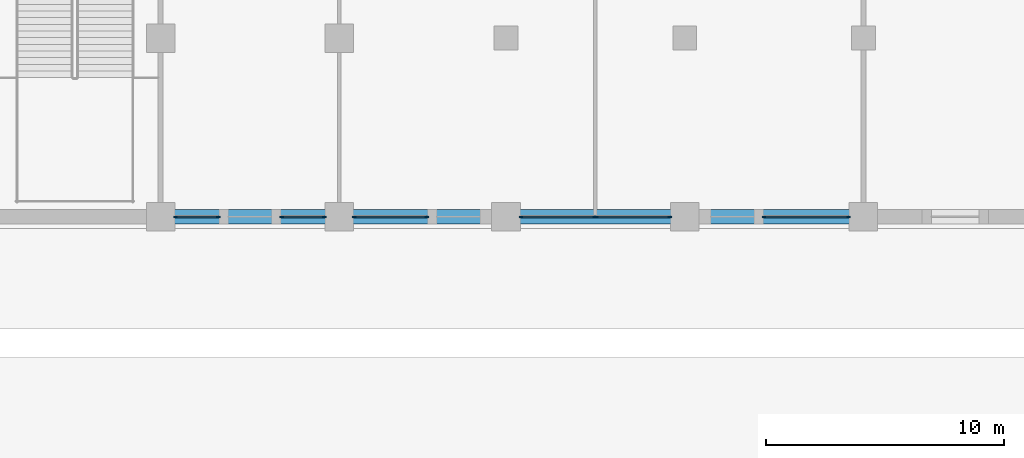
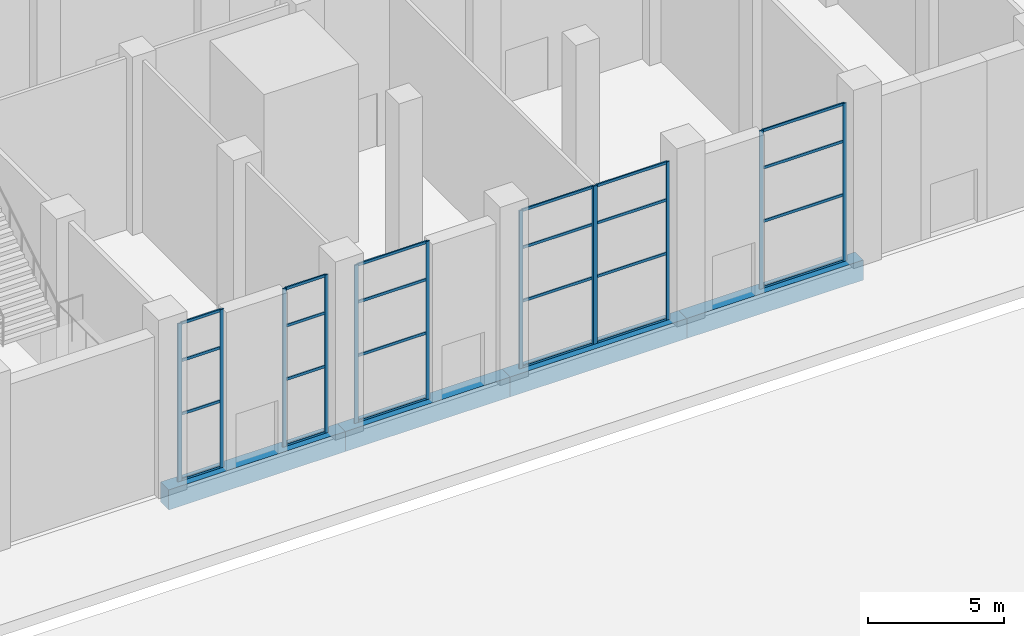
# One storey, part 4 of 57: 36 members, 4 beams, 6 elements without a shape of their own.
"""IFC4 building model written with IfcOpenShell, lengths in metres."""

from ifc_helpers import new_model, si_unit, direction, frame, origin, origin_2d, place, context, subcontext, project, spatial, rectangle, extrude, material, layer, layer_set, material_profile, profile_set, type_object, element, aggregate, save


model = new_model("IFC4")

# Units and contexts
model_context = context("Model", 3, precision=1e-05, world=origin(), true_north=direction((0.0, 1.0)))
body_context = subcontext(model_context, "Body", "Model", "MODEL_VIEW")
ifc_project = project(units=[si_unit("LENGTHUNIT", "METRE"), si_unit("AREAUNIT", "SQUARE_METRE"), si_unit("VOLUMEUNIT", "CUBIC_METRE"), si_unit("PLANEANGLEUNIT", "RADIAN"), si_unit("MASSUNIT", "GRAM", prefix="KILO")], contexts=[model_context])

# Site, building, storey
site_placement = place(None, origin())
site = spatial("IfcSite", under=ifc_project, at=site_placement, CompositionType="ELEMENT")
building_placement = place(site_placement, origin())
building = spatial("IfcBuilding", under=site, at=building_placement, Name="Tamorin Gate", CompositionType="ELEMENT")
storey_placement = place(building_placement, origin())
storey = spatial("IfcBuildingStorey", under=building, at=storey_placement, Name="L00", CompositionType="ELEMENT", Elevation=0.0)

# Beams
ifc_material_1 = material(Name="Concrete C50/60", Category="concrete")
ifc_material_profile_1 = material_profile(ifc_material_1, rectangle(XDim=0.60009765625, YDim=0.89990234375, at=origin_2d()), Name="RC 600x900")
ifc_profile_set_1 = profile_set([ifc_material_profile_1], Name="Concrete C50/60")
beam_type = type_object("IfcBeamType", Name="RC spandrel 600x900 C50/60", PredefinedType="BEAM", material=ifc_profile_set_1)
beam_1_placement = place(storey_placement, frame((23.0, 30.5, -0.449951171875), z_axis=(1.0, 0.0, 0.0), x_axis=(0.0, 1.0, 0.0)))
element("IfcBeam", 1, at=beam_1_placement, inside=storey, type_object=beam_type, Name="Spandrel beam L00", PredefinedType="BEAM", context=body_context, shape_type="SweptSolid", body=[
    extrude(rectangle(XDim=0.60009765625, YDim=0.89990234375, at=origin_2d()), origin(), (0.0, 0.0, 1.0), 7.5),
])
beam_2_placement = place(storey_placement, frame((30.5, 30.5, -0.449951171875), z_axis=(1.0, 0.0, 0.0), x_axis=(0.0, 1.0, 0.0)))
element("IfcBeam", 2, at=beam_2_placement, inside=storey, type_object=beam_type, Name="Spandrel beam L00", PredefinedType="BEAM", context=body_context, shape_type="SweptSolid", body=[
    extrude(rectangle(XDim=0.60009765625, YDim=0.89990234375, at=origin_2d()), origin(), (0.0, 0.0, 1.0), 7.0),
])
for number, where, z_axis, x_axis, name in (
    (3, (37.5, 30.5, -0.449951171875), (1.0, 0.0, 0.0), (0.0, 1.0, 0.0), "Spandrel beam L00"),
    (4, (45.0, 30.5, -0.449951171875), (1.0, 0.0, 0.0), (0.0, 1.0, 0.0), "Spandrel beam L00"),
):
    element("IfcBeam", number, at=place(storey_placement, frame(where, z_axis=z_axis, x_axis=x_axis)), inside=storey, type_object=beam_type, Name=name, PredefinedType="BEAM", context=body_context, shape_type="SweptSolid", body=[
        extrude(rectangle(XDim=0.60009765625, YDim=0.89990234375, at=origin_2d()), origin(), (0.0, 0.0, 1.0), 7.5),
    ])

# Curtain wall, members
ifc_material_2 = material(Name="Aluminium and glass", Category="aluminium")
ifc_layer = layer(ifc_material_2, 0.199951171875)
ifc_layer_set = layer_set([ifc_layer], Name="Retail storefront system")
curtain_wall_type = type_object("IfcCurtainWallType", Name="Retail storefront system", PredefinedType="NOTDEFINED", material=ifc_layer_set)
curtain_wall_1_placement = place(storey_placement, origin())
curtain_wall_1 = element("IfcCurtainWall", 5, at=curtain_wall_1_placement, inside=storey, type_object=curtain_wall_type, Name="Retail storefront system L00", PredefinedType="NOTDEFINED")
ifc_material_3 = material(Name="Aluminium", Category="aluminium")
ifc_material_profile_2 = material_profile(ifc_material_3, rectangle(XDim=0.06005859375, YDim=0.159912109375, at=origin_2d()), Name="RECT 60x160")
ifc_profile_set_2 = profile_set([ifc_material_profile_2], Name="Aluminium")
member_type_1 = type_object("IfcMemberType", Name="Storefront mullion 60x160", PredefinedType="MULLION", material=ifc_profile_set_2)
member_1_placement = place(storey_placement, frame((23.6298828125, 30.5, 0.0), z_axis=(0.0, 0.0, 1.0), x_axis=(0.0, 1.0, 0.0)))
member_1 = element("IfcMember", 6, at=member_1_placement, type_object=member_type_1, Name="CWP10 mullion 1", PredefinedType="MULLION", context=body_context, shape_type="SweptSolid", body=[
    extrude(rectangle(XDim=0.06005859375, YDim=0.159912109375, at=origin_2d()), origin(), (0.0, 0.0, 1.0), 7.10009765625),
])
member_2_placement = place(storey_placement, frame((25.419921875, 30.5, 0.0), z_axis=(0.0, 0.0, 1.0), x_axis=(0.0, 1.0, 0.0)))
member_2 = element("IfcMember", 7, at=member_2_placement, type_object=member_type_1, Name="CWP10 mullion 2", PredefinedType="MULLION", context=body_context, shape_type="SweptSolid", body=[
    extrude(rectangle(XDim=0.06005859375, YDim=0.159912109375, at=origin_2d()), origin(), (0.0, 0.0, 1.0), 7.10009765625),
])

curtain_wall_2_placement = place(storey_placement, origin())
curtain_wall_2 = element("IfcCurtainWall", 8, at=curtain_wall_2_placement, inside=storey, type_object=curtain_wall_type, Name="Retail storefront system L00", PredefinedType="NOTDEFINED")
member_3_placement = place(storey_placement, frame((28.080078125, 30.5, 0.0), z_axis=(0.0, 0.0, 1.0), x_axis=(0.0, 1.0, 0.0)))
member_3 = element("IfcMember", 9, at=member_3_placement, type_object=member_type_1, Name="CWP10 mullion 1", PredefinedType="MULLION", context=body_context, shape_type="SweptSolid", body=[
    extrude(rectangle(XDim=0.06005859375, YDim=0.159912109375, at=origin_2d()), origin(), (0.0, 0.0, 1.0), 7.10009765625),
])
member_4_placement = place(storey_placement, frame((29.8701171875, 30.5, 0.0), z_axis=(0.0, 0.0, 1.0), x_axis=(0.0, 1.0, 0.0)))
member_4 = element("IfcMember", 10, at=member_4_placement, type_object=member_type_1, Name="CWP10 mullion 2", PredefinedType="MULLION", context=body_context, shape_type="SweptSolid", body=[
    extrude(rectangle(XDim=0.06005859375, YDim=0.159912109375, at=origin_2d()), origin(), (0.0, 0.0, 1.0), 7.10009765625),
])

curtain_wall_3_placement = place(storey_placement, origin())
curtain_wall_3 = element("IfcCurtainWall", 11, at=curtain_wall_3_placement, inside=storey, type_object=curtain_wall_type, Name="Retail storefront system L00", PredefinedType="NOTDEFINED")
member_5_placement = place(storey_placement, frame((31.1298828125, 30.5, 0.0), z_axis=(0.0, 0.0, 1.0), x_axis=(0.0, 1.0, 0.0)))
member_5 = element("IfcMember", 12, at=member_5_placement, type_object=member_type_1, Name="CWP10 mullion 1", PredefinedType="MULLION", context=body_context, shape_type="SweptSolid", body=[
    extrude(rectangle(XDim=0.06005859375, YDim=0.159912109375, at=origin_2d()), origin(), (0.0, 0.0, 1.0), 7.10009765625),
])
member_6_placement = place(storey_placement, frame((34.169921875, 30.5, 0.0), z_axis=(0.0, 0.0, 1.0), x_axis=(0.0, 1.0, 0.0)))
member_6 = element("IfcMember", 13, at=member_6_placement, type_object=member_type_1, Name="CWP10 mullion 2", PredefinedType="MULLION", context=body_context, shape_type="SweptSolid", body=[
    extrude(rectangle(XDim=0.06005859375, YDim=0.159912109375, at=origin_2d()), origin(), (0.0, 0.0, 1.0), 7.10009765625),
])

curtain_wall_4_placement = place(storey_placement, origin())
curtain_wall_4 = element("IfcCurtainWall", 14, at=curtain_wall_4_placement, inside=storey, type_object=curtain_wall_type, Name="Retail storefront system L00", PredefinedType="NOTDEFINED")
member_7_placement = place(storey_placement, frame((38.1298828125, 30.5, 0.0), z_axis=(0.0, 0.0, 1.0), x_axis=(0.0, 1.0, 0.0)))
member_7 = element("IfcMember", 15, at=member_7_placement, type_object=member_type_1, Name="CWP10 mullion 1", PredefinedType="MULLION", context=body_context, shape_type="SweptSolid", body=[
    extrude(rectangle(XDim=0.06005859375, YDim=0.159912109375, at=origin_2d()), origin(), (0.0, 0.0, 1.0), 7.10009765625),
])
member_8_placement = place(storey_placement, frame((41.219970703125, 30.5, 0.0), z_axis=(0.0, 0.0, 1.0), x_axis=(0.0, 1.0, 0.0)))
member_8 = element("IfcMember", 16, at=member_8_placement, type_object=member_type_1, Name="CWP10 mullion 2", PredefinedType="MULLION", context=body_context, shape_type="SweptSolid", body=[
    extrude(rectangle(XDim=0.06005859375, YDim=0.159912109375, at=origin_2d()), origin(), (0.0, 0.0, 1.0), 7.10009765625),
])

curtain_wall_5_placement = place(storey_placement, origin())
curtain_wall_5 = element("IfcCurtainWall", 17, at=curtain_wall_5_placement, inside=storey, type_object=curtain_wall_type, Name="Retail storefront system L00", PredefinedType="NOTDEFINED")
member_9_placement = place(storey_placement, frame((41.280029296875, 30.5, 0.0), z_axis=(0.0, 0.0, 1.0), x_axis=(0.0, 1.0, 0.0)))
member_9 = element("IfcMember", 18, at=member_9_placement, type_object=member_type_1, Name="CWP10 mullion 1", PredefinedType="MULLION", context=body_context, shape_type="SweptSolid", body=[
    extrude(rectangle(XDim=0.06005859375, YDim=0.159912109375, at=origin_2d()), origin(), (0.0, 0.0, 1.0), 7.10009765625),
])
member_10_placement = place(storey_placement, frame((44.3701171875, 30.5, 0.0), z_axis=(0.0, 0.0, 1.0), x_axis=(0.0, 1.0, 0.0)))
member_10 = element("IfcMember", 19, at=member_10_placement, type_object=member_type_1, Name="CWP10 mullion 2", PredefinedType="MULLION", context=body_context, shape_type="SweptSolid", body=[
    extrude(rectangle(XDim=0.06005859375, YDim=0.159912109375, at=origin_2d()), origin(), (0.0, 0.0, 1.0), 7.10009765625),
])

curtain_wall_6_placement = place(storey_placement, origin())
curtain_wall_6 = element("IfcCurtainWall", 20, at=curtain_wall_6_placement, inside=storey, type_object=curtain_wall_type, Name="Retail storefront system L00", PredefinedType="NOTDEFINED")
member_11_placement = place(storey_placement, frame((48.330078125, 30.5, 0.0), z_axis=(0.0, 0.0, 1.0), x_axis=(0.0, 1.0, 0.0)))
member_11 = element("IfcMember", 21, at=member_11_placement, type_object=member_type_1, Name="CWP10 mullion 1", PredefinedType="MULLION", context=body_context, shape_type="SweptSolid", body=[
    extrude(rectangle(XDim=0.06005859375, YDim=0.159912109375, at=origin_2d()), origin(), (0.0, 0.0, 1.0), 7.10009765625),
])
member_12_placement = place(storey_placement, frame((51.8701171875, 30.5, 0.0), z_axis=(0.0, 0.0, 1.0), x_axis=(0.0, 1.0, 0.0)))
member_12 = element("IfcMember", 22, at=member_12_placement, type_object=member_type_1, Name="CWP10 mullion 2", PredefinedType="MULLION", context=body_context, shape_type="SweptSolid", body=[
    extrude(rectangle(XDim=0.06005859375, YDim=0.159912109375, at=origin_2d()), origin(), (0.0, 0.0, 1.0), 7.10009765625),
])

# Member
ifc_material_profile_3 = material_profile(ifc_material_3, rectangle(XDim=0.06005859375, YDim=0.1201171875, at=origin_2d()), Name="RECT 60x120")
ifc_profile_set_3 = profile_set([ifc_material_profile_3], Name="Aluminium")
member_type_2 = type_object("IfcMemberType", Name="Storefront transom 60x120", PredefinedType="USERDEFINED", material=ifc_profile_set_3)
member_13_placement = place(storey_placement, frame((23.659912109375, 30.5, 0.030029296875), z_axis=(1.0, 0.0, 0.0), x_axis=(0.0, 1.0, 0.0)))
member_13 = element("IfcMember", 23, at=member_13_placement, type_object=member_type_2, Name="CWP10 transom 1.1", ObjectType="TRANSOM", PredefinedType="USERDEFINED", context=body_context, shape_type="SweptSolid", body=[
    extrude(rectangle(XDim=0.06005859375, YDim=0.1201171875, at=origin_2d()), origin(), (0.0, 0.0, 1.0), 1.72998046875),
])

member_14_placement = place(storey_placement, frame((23.659912109375, 30.5, 3.0), z_axis=(1.0, 0.0, 0.0), x_axis=(0.0, 1.0, 0.0)))
member_14 = element("IfcMember", 24, at=member_14_placement, type_object=member_type_2, Name="CWP10 transom 1.2", ObjectType="TRANSOM", PredefinedType="USERDEFINED", context=body_context, shape_type="SweptSolid", body=[
    extrude(rectangle(XDim=0.06005859375, YDim=0.1201171875, at=origin_2d()), origin(), (0.0, 0.0, 1.0), 1.72998046875),
])

member_15_placement = place(storey_placement, frame((23.659912109375, 30.5, 5.39990234375), z_axis=(1.0, 0.0, 0.0), x_axis=(0.0, 1.0, 0.0)))
member_15 = element("IfcMember", 25, at=member_15_placement, type_object=member_type_2, Name="CWP10 transom 1.3", ObjectType="TRANSOM", PredefinedType="USERDEFINED", context=body_context, shape_type="SweptSolid", body=[
    extrude(rectangle(XDim=0.06005859375, YDim=0.1201171875, at=origin_2d()), origin(), (0.0, 0.0, 1.0), 1.72998046875),
])

member_16_placement = place(storey_placement, frame((23.659912109375, 30.5, 7.070068359375), z_axis=(1.0, 0.0, 0.0), x_axis=(0.0, 1.0, 0.0)))
member_16 = element("IfcMember", 26, at=member_16_placement, type_object=member_type_2, Name="CWP10 transom 1.4", ObjectType="TRANSOM", PredefinedType="USERDEFINED", context=body_context, shape_type="SweptSolid", body=[
    extrude(rectangle(XDim=0.06005859375, YDim=0.1201171875, at=origin_2d()), origin(), (0.0, 0.0, 1.0), 1.72998046875),
])

aggregate(curtain_wall_1, [member_1, member_2, member_13, member_14, member_15, member_16])

member_17_placement = place(storey_placement, frame((28.110107421875, 30.5, 0.030029296875), z_axis=(1.0, 0.0, 0.0), x_axis=(0.0, 1.0, 0.0)))
member_17 = element("IfcMember", 27, at=member_17_placement, type_object=member_type_2, Name="CWP10 transom 1.1", ObjectType="TRANSOM", PredefinedType="USERDEFINED", context=body_context, shape_type="SweptSolid", body=[
    extrude(rectangle(XDim=0.06005859375, YDim=0.1201171875, at=origin_2d()), origin(), (0.0, 0.0, 1.0), 1.72998046875),
])

member_18_placement = place(storey_placement, frame((28.110107421875, 30.5, 3.0), z_axis=(1.0, 0.0, 0.0), x_axis=(0.0, 1.0, 0.0)))
member_18 = element("IfcMember", 28, at=member_18_placement, type_object=member_type_2, Name="CWP10 transom 1.2", ObjectType="TRANSOM", PredefinedType="USERDEFINED", context=body_context, shape_type="SweptSolid", body=[
    extrude(rectangle(XDim=0.06005859375, YDim=0.1201171875, at=origin_2d()), origin(), (0.0, 0.0, 1.0), 1.72998046875),
])

member_19_placement = place(storey_placement, frame((28.110107421875, 30.5, 5.39990234375), z_axis=(1.0, 0.0, 0.0), x_axis=(0.0, 1.0, 0.0)))
member_19 = element("IfcMember", 29, at=member_19_placement, type_object=member_type_2, Name="CWP10 transom 1.3", ObjectType="TRANSOM", PredefinedType="USERDEFINED", context=body_context, shape_type="SweptSolid", body=[
    extrude(rectangle(XDim=0.06005859375, YDim=0.1201171875, at=origin_2d()), origin(), (0.0, 0.0, 1.0), 1.72998046875),
])

member_20_placement = place(storey_placement, frame((28.110107421875, 30.5, 7.070068359375), z_axis=(1.0, 0.0, 0.0), x_axis=(0.0, 1.0, 0.0)))
member_20 = element("IfcMember", 30, at=member_20_placement, type_object=member_type_2, Name="CWP10 transom 1.4", ObjectType="TRANSOM", PredefinedType="USERDEFINED", context=body_context, shape_type="SweptSolid", body=[
    extrude(rectangle(XDim=0.06005859375, YDim=0.1201171875, at=origin_2d()), origin(), (0.0, 0.0, 1.0), 1.72998046875),
])

aggregate(curtain_wall_2, [member_3, member_4, member_17, member_18, member_19, member_20])

member_21_placement = place(storey_placement, frame((31.159912109375, 30.5, 0.030029296875), z_axis=(1.0, 0.0, 0.0), x_axis=(0.0, 1.0, 0.0)))
member_21 = element("IfcMember", 31, at=member_21_placement, type_object=member_type_2, Name="CWP10 transom 1.1", ObjectType="TRANSOM", PredefinedType="USERDEFINED", context=body_context, shape_type="SweptSolid", body=[
    extrude(rectangle(XDim=0.06005859375, YDim=0.1201171875, at=origin_2d()), origin(), (0.0, 0.0, 1.0), 2.97998046875),
])

member_22_placement = place(storey_placement, frame((31.159912109375, 30.5, 3.0), z_axis=(1.0, 0.0, 0.0), x_axis=(0.0, 1.0, 0.0)))
member_22 = element("IfcMember", 32, at=member_22_placement, type_object=member_type_2, Name="CWP10 transom 1.2", ObjectType="TRANSOM", PredefinedType="USERDEFINED", context=body_context, shape_type="SweptSolid", body=[
    extrude(rectangle(XDim=0.06005859375, YDim=0.1201171875, at=origin_2d()), origin(), (0.0, 0.0, 1.0), 2.97998046875),
])

member_23_placement = place(storey_placement, frame((31.159912109375, 30.5, 5.39990234375), z_axis=(1.0, 0.0, 0.0), x_axis=(0.0, 1.0, 0.0)))
member_23 = element("IfcMember", 33, at=member_23_placement, type_object=member_type_2, Name="CWP10 transom 1.3", ObjectType="TRANSOM", PredefinedType="USERDEFINED", context=body_context, shape_type="SweptSolid", body=[
    extrude(rectangle(XDim=0.06005859375, YDim=0.1201171875, at=origin_2d()), origin(), (0.0, 0.0, 1.0), 2.97998046875),
])

member_24_placement = place(storey_placement, frame((31.159912109375, 30.5, 7.070068359375), z_axis=(1.0, 0.0, 0.0), x_axis=(0.0, 1.0, 0.0)))
member_24 = element("IfcMember", 34, at=member_24_placement, type_object=member_type_2, Name="CWP10 transom 1.4", ObjectType="TRANSOM", PredefinedType="USERDEFINED", context=body_context, shape_type="SweptSolid", body=[
    extrude(rectangle(XDim=0.06005859375, YDim=0.1201171875, at=origin_2d()), origin(), (0.0, 0.0, 1.0), 2.97998046875),
])

aggregate(curtain_wall_3, [member_5, member_6, member_21, member_22, member_23, member_24])

member_25_placement = place(storey_placement, frame((38.159912109375, 30.5, 0.030029296875), z_axis=(1.0, 0.0, 0.0), x_axis=(0.0, 1.0, 0.0)))
member_25 = element("IfcMember", 35, at=member_25_placement, type_object=member_type_2, Name="CWP10 transom 1.1", ObjectType="TRANSOM", PredefinedType="USERDEFINED", context=body_context, shape_type="SweptSolid", body=[
    extrude(rectangle(XDim=0.06005859375, YDim=0.1201171875, at=origin_2d()), origin(), (0.0, 0.0, 1.0), 3.030029296875),
])

member_26_placement = place(storey_placement, frame((38.159912109375, 30.5, 3.0), z_axis=(1.0, 0.0, 0.0), x_axis=(0.0, 1.0, 0.0)))
member_26 = element("IfcMember", 36, at=member_26_placement, type_object=member_type_2, Name="CWP10 transom 1.2", ObjectType="TRANSOM", PredefinedType="USERDEFINED", context=body_context, shape_type="SweptSolid", body=[
    extrude(rectangle(XDim=0.06005859375, YDim=0.1201171875, at=origin_2d()), origin(), (0.0, 0.0, 1.0), 3.030029296875),
])

member_27_placement = place(storey_placement, frame((38.159912109375, 30.5, 5.39990234375), z_axis=(1.0, 0.0, 0.0), x_axis=(0.0, 1.0, 0.0)))
member_27 = element("IfcMember", 37, at=member_27_placement, type_object=member_type_2, Name="CWP10 transom 1.3", ObjectType="TRANSOM", PredefinedType="USERDEFINED", context=body_context, shape_type="SweptSolid", body=[
    extrude(rectangle(XDim=0.06005859375, YDim=0.1201171875, at=origin_2d()), origin(), (0.0, 0.0, 1.0), 3.030029296875),
])

member_28_placement = place(storey_placement, frame((38.159912109375, 30.5, 7.070068359375), z_axis=(1.0, 0.0, 0.0), x_axis=(0.0, 1.0, 0.0)))
member_28 = element("IfcMember", 38, at=member_28_placement, type_object=member_type_2, Name="CWP10 transom 1.4", ObjectType="TRANSOM", PredefinedType="USERDEFINED", context=body_context, shape_type="SweptSolid", body=[
    extrude(rectangle(XDim=0.06005859375, YDim=0.1201171875, at=origin_2d()), origin(), (0.0, 0.0, 1.0), 3.030029296875),
])

aggregate(curtain_wall_4, [member_7, member_8, member_25, member_26, member_27, member_28])

member_29_placement = place(storey_placement, frame((41.31005859375, 30.5, 0.030029296875), z_axis=(1.0, 0.0, 0.0), x_axis=(0.0, 1.0, 0.0)))
member_29 = element("IfcMember", 39, at=member_29_placement, type_object=member_type_2, Name="CWP10 transom 1.1", ObjectType="TRANSOM", PredefinedType="USERDEFINED", context=body_context, shape_type="SweptSolid", body=[
    extrude(rectangle(XDim=0.06005859375, YDim=0.1201171875, at=origin_2d()), origin(), (0.0, 0.0, 1.0), 3.030029296875),
])

member_30_placement = place(storey_placement, frame((41.31005859375, 30.5, 3.0), z_axis=(1.0, 0.0, 0.0), x_axis=(0.0, 1.0, 0.0)))
member_30 = element("IfcMember", 40, at=member_30_placement, type_object=member_type_2, Name="CWP10 transom 1.2", ObjectType="TRANSOM", PredefinedType="USERDEFINED", context=body_context, shape_type="SweptSolid", body=[
    extrude(rectangle(XDim=0.06005859375, YDim=0.1201171875, at=origin_2d()), origin(), (0.0, 0.0, 1.0), 3.030029296875),
])

member_31_placement = place(storey_placement, frame((41.31005859375, 30.5, 5.39990234375), z_axis=(1.0, 0.0, 0.0), x_axis=(0.0, 1.0, 0.0)))
member_31 = element("IfcMember", 41, at=member_31_placement, type_object=member_type_2, Name="CWP10 transom 1.3", ObjectType="TRANSOM", PredefinedType="USERDEFINED", context=body_context, shape_type="SweptSolid", body=[
    extrude(rectangle(XDim=0.06005859375, YDim=0.1201171875, at=origin_2d()), origin(), (0.0, 0.0, 1.0), 3.030029296875),
])

member_32_placement = place(storey_placement, frame((41.31005859375, 30.5, 7.070068359375), z_axis=(1.0, 0.0, 0.0), x_axis=(0.0, 1.0, 0.0)))
member_32 = element("IfcMember", 42, at=member_32_placement, type_object=member_type_2, Name="CWP10 transom 1.4", ObjectType="TRANSOM", PredefinedType="USERDEFINED", context=body_context, shape_type="SweptSolid", body=[
    extrude(rectangle(XDim=0.06005859375, YDim=0.1201171875, at=origin_2d()), origin(), (0.0, 0.0, 1.0), 3.030029296875),
])

aggregate(curtain_wall_5, [member_9, member_10, member_29, member_30, member_31, member_32])

member_33_placement = place(storey_placement, frame((48.360107421875, 30.5, 0.030029296875), z_axis=(1.0, 0.0, 0.0), x_axis=(0.0, 1.0, 0.0)))
member_33 = element("IfcMember", 43, at=member_33_placement, type_object=member_type_2, Name="CWP10 transom 1.1", ObjectType="TRANSOM", PredefinedType="USERDEFINED", context=body_context, shape_type="SweptSolid", body=[
    extrude(rectangle(XDim=0.06005859375, YDim=0.1201171875, at=origin_2d()), origin(), (0.0, 0.0, 1.0), 3.47998046875),
])

member_34_placement = place(storey_placement, frame((48.360107421875, 30.5, 3.0), z_axis=(1.0, 0.0, 0.0), x_axis=(0.0, 1.0, 0.0)))
member_34 = element("IfcMember", 44, at=member_34_placement, type_object=member_type_2, Name="CWP10 transom 1.2", ObjectType="TRANSOM", PredefinedType="USERDEFINED", context=body_context, shape_type="SweptSolid", body=[
    extrude(rectangle(XDim=0.06005859375, YDim=0.1201171875, at=origin_2d()), origin(), (0.0, 0.0, 1.0), 3.47998046875),
])

member_35_placement = place(storey_placement, frame((48.360107421875, 30.5, 5.39990234375), z_axis=(1.0, 0.0, 0.0), x_axis=(0.0, 1.0, 0.0)))
member_35 = element("IfcMember", 45, at=member_35_placement, type_object=member_type_2, Name="CWP10 transom 1.3", ObjectType="TRANSOM", PredefinedType="USERDEFINED", context=body_context, shape_type="SweptSolid", body=[
    extrude(rectangle(XDim=0.06005859375, YDim=0.1201171875, at=origin_2d()), origin(), (0.0, 0.0, 1.0), 3.47998046875),
])

member_36_placement = place(storey_placement, frame((48.360107421875, 30.5, 7.070068359375), z_axis=(1.0, 0.0, 0.0), x_axis=(0.0, 1.0, 0.0)))
member_36 = element("IfcMember", 46, at=member_36_placement, type_object=member_type_2, Name="CWP10 transom 1.4", ObjectType="TRANSOM", PredefinedType="USERDEFINED", context=body_context, shape_type="SweptSolid", body=[
    extrude(rectangle(XDim=0.06005859375, YDim=0.1201171875, at=origin_2d()), origin(), (0.0, 0.0, 1.0), 3.47998046875),
])

aggregate(curtain_wall_6, [member_11, member_12, member_33, member_34, member_35, member_36])

save(model, "model.ifc")
